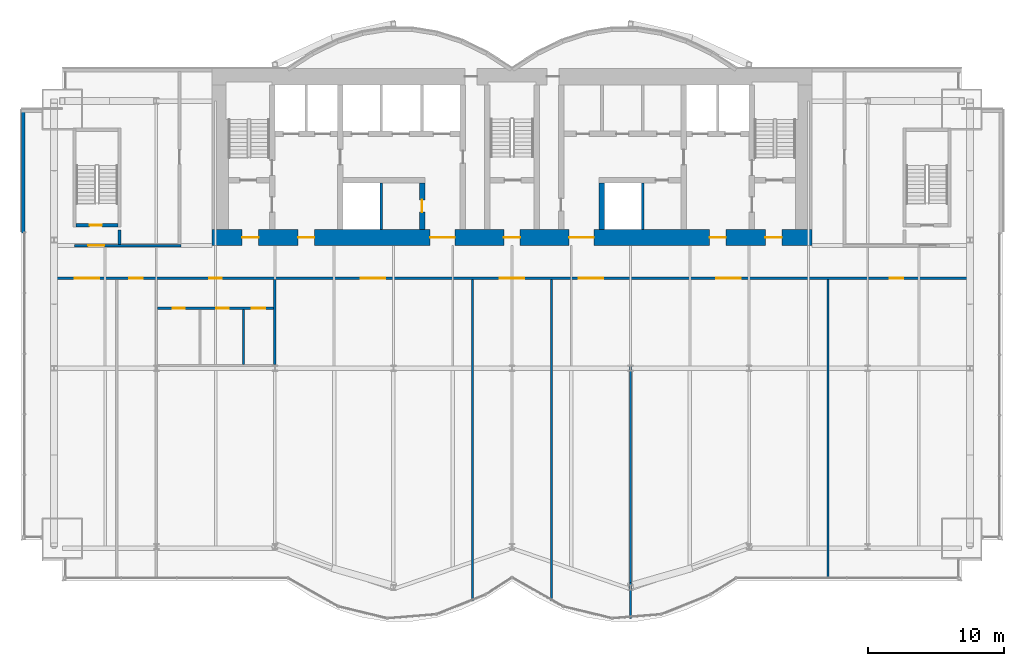
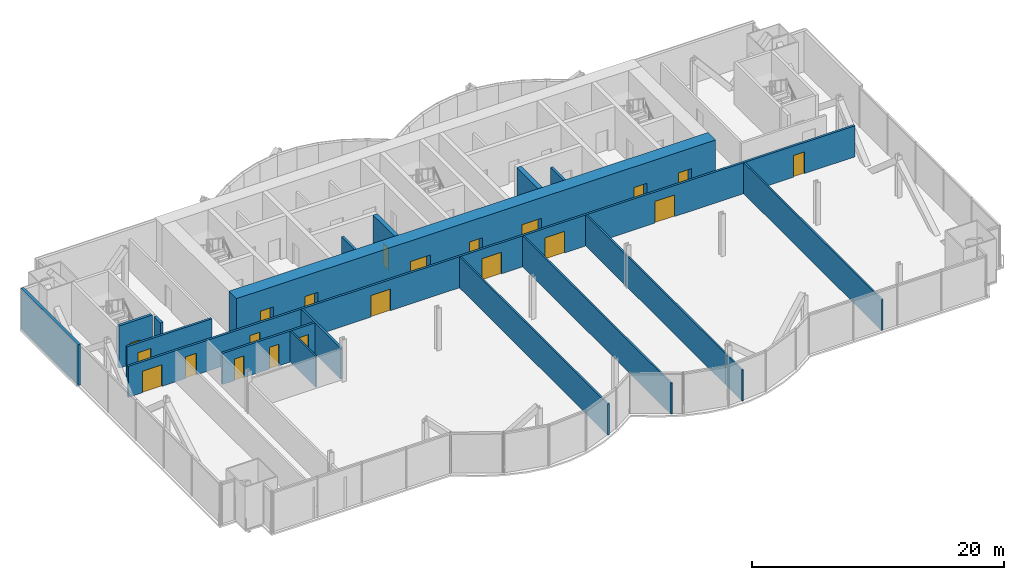
# One storey, part 15 of 21: 21 doors, 18 walls, 21 openings.
"""IFC4 building model written with IfcOpenShell, lengths in metres."""

from ifc_helpers import new_model, si_unit, direction, frame, frame_2d, origin, place, context, subcontext, project, spatial, rectangle, extrude, material, layer, layer_set, layer_usage, type_object, element, fill, save


model = new_model("IFC4")

# Units and contexts
model_context = context("Model", 3, precision=1e-05, world=origin(), true_north=direction((0.0, 1.0)))
body_context = subcontext(model_context, "Body", "Model", "MODEL_VIEW")
ifc_project = project(units=[si_unit("LENGTHUNIT", "METRE"), si_unit("AREAUNIT", "SQUARE_METRE"), si_unit("VOLUMEUNIT", "CUBIC_METRE"), si_unit("PLANEANGLEUNIT", "RADIAN"), si_unit("MASSUNIT", "GRAM", prefix="KILO")], contexts=[model_context])

# Site, building, storey
site_placement = place(None, origin())
site = spatial("IfcSite", under=ifc_project, at=site_placement, CompositionType="ELEMENT")
building_placement = place(site_placement, origin())
building = spatial("IfcBuilding", under=site, at=building_placement, Name="Bicima Exchange Tower", CompositionType="ELEMENT")
storey_placement = place(building_placement, frame((0.0, 0.0, 114.5)))
storey = spatial("IfcBuildingStorey", under=building, at=storey_placement, Name="L24", CompositionType="ELEMENT", Elevation=114.5)

# Walls
ifc_material_1 = material(Name="Gypsum board partition")
ifc_layer_1 = layer(ifc_material_1, 0.199951171875)
ifc_layer_set_1 = layer_set([ifc_layer_1], Name="Gypsum board partition")
wall_type_1 = type_object("IfcWallType", Name="Fire-rated gypsum partition 200 EI120", PredefinedType="PARTITIONING", material=ifc_layer_set_1)
for number, where, z_axis, x_axis, name in (
    (1, (-9.60009765625, -11.800048828125, 0.0), (0.0, 0.0, 1.0), (0.0, 1.0, 0.0), "partition wall 11"),
    (2, (9.60009765625, -11.800048828125, 0.0), (0.0, 0.0, 1.0), (0.0, 1.0, 0.0), "partition wall 21"),
):
    element("IfcWall", number, at=place(storey_placement, frame(where, z_axis=z_axis, x_axis=x_axis)), inside=storey, type_object=wall_type_1, Name=name, PredefinedType="PARTITIONING", context=body_context, shape_type="SweptSolid", body=[
        extrude(rectangle(XDim=3.400146484375, YDim=0.199951171875, at=frame_2d((1.7001953125, 0.0))), origin(), (0.0, 0.0, 1.0), 3.018310546875),
    ])

# Wall, openings, doors
ifc_layer_2 = layer(ifc_material_1, 0.199951171875)
ifc_layer_set_2 = layer_set([ifc_layer_2], Name="Gypsum board partition")
wall_type_2 = type_object("IfcWallType", Name="Fire-rated gypsum partition 200 EI60", PredefinedType="PARTITIONING", material=ifc_layer_set_2)
wall_1_placement = place(storey_placement, frame((-26.0, -17.60009765625, 0.0), z_axis=(0.0, 0.0, 1.0), x_axis=(1.0, 0.0, 0.0)))
wall_1 = element("IfcWall", 3, at=wall_1_placement, inside=storey, type_object=wall_type_2, Name="partition wall 2", PredefinedType="PARTITIONING", context=body_context, shape_type="SweptSolid", body=[
    extrude(rectangle(XDim=8.5, YDim=0.199951171875, at=frame_2d((4.25, 0.0))), origin(), (0.0, 0.0, 1.0), 3.018310546875),
])
opening_1_placement = place(wall_1_placement, frame((1.10009765625, 0.0, 0.0)))
opening_1 = element("IfcOpeningElement", 4, at=opening_1_placement, cuts=wall_1, Name="Opening L24-010", PredefinedType="OPENING", context=body_context, shape_type="SweptSolid", body=[
    extrude(rectangle(XDim=0.89990234375, YDim=2.10009765625, at=frame_2d((0.449951171875, 1.050048828125))), frame((0.0, 0.11181640625, 0.0), z_axis=(0.0, -1.0, 0.0), x_axis=(1.0, 0.0, 0.0)), (0.0, 0.0, 1.0), 0.223876953125),
])
opening_2_placement = place(wall_1_placement, frame((4.300048828125, 0.0, 0.0)))
opening_2 = element("IfcOpeningElement", 5, at=opening_2_placement, cuts=wall_1, Name="Opening L24-011", PredefinedType="OPENING", context=body_context, shape_type="SweptSolid", body=[
    extrude(rectangle(XDim=0.89990234375, YDim=2.10009765625, at=frame_2d((0.449951171875, 1.050048828125))), frame((0.0, 0.11181640625, 0.0), z_axis=(0.0, -1.0, 0.0), x_axis=(1.0, 0.0, 0.0)), (0.0, 0.0, 1.0), 0.223876953125),
])
opening_3_placement = place(wall_1_placement, frame((6.89990234375, 0.0, 0.0)))
opening_3 = element("IfcOpeningElement", 6, at=opening_3_placement, cuts=wall_1, Name="Opening L24-012", PredefinedType="OPENING", context=body_context, shape_type="SweptSolid", body=[
    extrude(rectangle(XDim=1.0, YDim=2.10009765625, at=frame_2d((0.5, 1.050048828125))), frame((0.0, 0.11181640625, 0.0), z_axis=(0.0, -1.0, 0.0), x_axis=(1.0, 0.0, 0.0)), (0.0, 0.0, 1.0), 0.223876953125),
])
ifc_material_2 = material(Name="Steel fire door leaf", Category="steel")
door_type_1 = type_object("IfcDoorType", Name="Door 1000 swing FD30S", OperationType="SINGLE_SWING_LEFT", PredefinedType="DOOR", material=ifc_material_2)
door_1_placement = place(opening_3_placement, frame((1.0, 0.0, 0.0), z_axis=(0.0, 0.0, 1.0), x_axis=(-1.0, 0.0, 0.0)))
door_1 = element("IfcDoor", 7, at=door_1_placement, inside=storey, type_object=door_type_1, Name="Door", OperationType="SINGLE_SWING_RIGHT", OverallHeight=2.10009765625, OverallWidth=1.0, PredefinedType="DOOR", context=body_context, shape_type="SweptSolid", body=[
    extrude(rectangle(XDim=1.0, YDim=2.10009765625, at=frame_2d((0.5, 1.050048828125))), frame((0.0, 0.02490234375, 0.0), z_axis=(0.0, -1.0, 0.0), x_axis=(1.0, 0.0, 0.0)), (0.0, 0.0, 1.0), 0.050048828125),
])
fill(opening_3, door_1)
door_type_2 = type_object("IfcDoorType", Name="Door 900 swing FD30S", OperationType="SINGLE_SWING_LEFT", PredefinedType="DOOR", material=ifc_material_2)
door_2_placement = place(opening_1_placement, frame((0.89990234375, 0.0, 0.0), z_axis=(0.0, 0.0, 1.0), x_axis=(-1.0, 0.0, 0.0)))
door_2 = element("IfcDoor", 8, at=door_2_placement, inside=storey, type_object=door_type_2, Name="Door", OperationType="SINGLE_SWING_LEFT", OverallHeight=2.10009765625, OverallWidth=0.89990234375, PredefinedType="DOOR", context=body_context, shape_type="SweptSolid", body=[
    extrude(rectangle(XDim=0.89990234375, YDim=2.10009765625, at=frame_2d((0.449951171875, 1.050048828125))), frame((0.0, 0.02490234375, 0.0), z_axis=(0.0, -1.0, 0.0), x_axis=(1.0, 0.0, 0.0)), (0.0, 0.0, 1.0), 0.050048828125),
])
fill(opening_1, door_2)
door_3_placement = place(opening_2_placement, frame((0.89990234375, 0.0, 0.0), z_axis=(0.0, 0.0, 1.0), x_axis=(-1.0, 0.0, 0.0)))
door_3 = element("IfcDoor", 9, at=door_3_placement, inside=storey, type_object=door_type_2, Name="Door", OperationType="SINGLE_SWING_RIGHT", OverallHeight=2.10009765625, OverallWidth=0.89990234375, PredefinedType="DOOR", context=body_context, shape_type="SweptSolid", body=[
    extrude(rectangle(XDim=0.89990234375, YDim=2.10009765625, at=frame_2d((0.449951171875, 1.050048828125))), frame((0.0, 0.02490234375, 0.0), z_axis=(0.0, -1.0, 0.0), x_axis=(1.0, 0.0, 0.0)), (0.0, 0.0, 1.0), 0.050048828125),
])
fill(opening_2, door_3)

wall_2_placement = place(storey_placement, frame((-33.3701171875, -15.39990234375, 0.0), z_axis=(0.0, 0.0, 1.0), x_axis=(1.0, 0.0, 0.0)))
wall_2 = element("IfcWall", 10, at=wall_2_placement, inside=storey, type_object=wall_type_2, Name="partition wall 3", PredefinedType="PARTITIONING", context=body_context, shape_type="SweptSolid", body=[
    extrude(rectangle(XDim=66.740234375, YDim=0.199951171875, at=frame_2d((33.3701171875, 0.0))), origin(), (0.0, 0.0, 1.0), 3.018310546875),
])
opening_4_placement = place(wall_2_placement, frame((1.300048828125, 0.0, 0.0)))
opening_4 = element("IfcOpeningElement", 11, at=opening_4_placement, cuts=wall_2, Name="Opening L24-007", PredefinedType="OPENING", context=body_context, shape_type="SweptSolid", body=[
    extrude(rectangle(XDim=1.800048828125, YDim=2.10009765625, at=frame_2d((0.89990234375, 1.050048828125))), frame((0.0, 0.11181640625, 0.0), z_axis=(0.0, -1.0, 0.0), x_axis=(1.0, 0.0, 0.0)), (0.0, 0.0, 1.0), 0.223876953125),
])
opening_5_placement = place(wall_2_placement, frame((5.27001953125, 0.0, 0.0)))
opening_5 = element("IfcOpeningElement", 12, at=opening_5_placement, cuts=wall_2, Name="Opening L24-008", PredefinedType="OPENING", context=body_context, shape_type="SweptSolid", body=[
    extrude(rectangle(XDim=1.0, YDim=2.10009765625, at=frame_2d((0.5, 1.050048828125))), frame((0.0, 0.11181640625, 0.0), z_axis=(0.0, -1.0, 0.0), x_axis=(1.0, 0.0, 0.0)), (0.0, 0.0, 1.0), 0.223876953125),
])
opening_6_placement = place(wall_2_placement, frame((11.169921875, 0.0, 0.0)))
opening_6 = element("IfcOpeningElement", 13, at=opening_6_placement, cuts=wall_2, Name="Opening L24-009", PredefinedType="OPENING", context=body_context, shape_type="SweptSolid", body=[
    extrude(rectangle(XDim=0.89990234375, YDim=2.10009765625, at=frame_2d((0.449951171875, 1.050048828125))), frame((0.0, 0.11181640625, 0.0), z_axis=(0.0, -1.0, 0.0), x_axis=(1.0, 0.0, 0.0)), (0.0, 0.0, 1.0), 0.223876953125),
])
opening_7_placement = place(wall_2_placement, frame((22.27001953125, 0.0, 0.0)))
opening_7 = element("IfcOpeningElement", 14, at=opening_7_placement, cuts=wall_2, Name="Opening L24-013", PredefinedType="OPENING", context=body_context, shape_type="SweptSolid", body=[
    extrude(rectangle(XDim=1.800048828125, YDim=2.10009765625, at=frame_2d((0.89990234375, 1.050048828125))), frame((0.0, 0.11181640625, 0.0), z_axis=(0.0, -1.0, 0.0), x_axis=(1.0, 0.0, 0.0)), (0.0, 0.0, 1.0), 0.223876953125),
])
opening_8_placement = place(wall_2_placement, frame((32.469970703125, 0.0, 0.0)))
opening_8 = element("IfcOpeningElement", 15, at=opening_8_placement, cuts=wall_2, Name="Opening L24-014", PredefinedType="OPENING", context=body_context, shape_type="SweptSolid", body=[
    extrude(rectangle(XDim=1.800048828125, YDim=2.10009765625, at=frame_2d((0.89990234375, 1.050048828125))), frame((0.0, 0.11181640625, 0.0), z_axis=(0.0, -1.0, 0.0), x_axis=(1.0, 0.0, 0.0)), (0.0, 0.0, 1.0), 0.223876953125),
])
opening_9_placement = place(wall_2_placement, frame((38.27001953125, 0.0, 0.0)))
opening_9 = element("IfcOpeningElement", 16, at=opening_9_placement, cuts=wall_2, Name="Opening L24-015", PredefinedType="OPENING", context=body_context, shape_type="SweptSolid", body=[
    extrude(rectangle(XDim=1.800048828125, YDim=2.10009765625, at=frame_2d((0.89990234375, 1.050048828125))), frame((0.0, 0.11181640625, 0.0), z_axis=(0.0, -1.0, 0.0), x_axis=(1.0, 0.0, 0.0)), (0.0, 0.0, 1.0), 0.223876953125),
])
opening_10_placement = place(wall_2_placement, frame((48.3701171875, 0.0, 0.0)))
opening_10 = element("IfcOpeningElement", 17, at=opening_10_placement, cuts=wall_2, Name="Opening L24-016", PredefinedType="OPENING", context=body_context, shape_type="SweptSolid", body=[
    extrude(rectangle(XDim=1.800048828125, YDim=2.10009765625, at=frame_2d((0.89990234375, 1.050048828125))), frame((0.0, 0.11181640625, 0.0), z_axis=(0.0, -1.0, 0.0), x_axis=(1.0, 0.0, 0.0)), (0.0, 0.0, 1.0), 0.223876953125),
])
opening_11_placement = place(wall_2_placement, frame((61.070068359375, 0.0, 0.0)))
opening_11 = element("IfcOpeningElement", 18, at=opening_11_placement, cuts=wall_2, Name="Opening L24-017", PredefinedType="OPENING", context=body_context, shape_type="SweptSolid", body=[
    extrude(rectangle(XDim=1.0, YDim=2.10009765625, at=frame_2d((0.5, 1.050048828125))), frame((0.0, 0.11181640625, 0.0), z_axis=(0.0, -1.0, 0.0), x_axis=(1.0, 0.0, 0.0)), (0.0, 0.0, 1.0), 0.223876953125),
])
door_4_placement = place(opening_5_placement, frame((1.0, 0.0, 0.0), z_axis=(0.0, 0.0, 1.0), x_axis=(-1.0, 0.0, 0.0)))
door_4 = element("IfcDoor", 19, at=door_4_placement, inside=storey, type_object=door_type_1, Name="Door", OperationType="SINGLE_SWING_RIGHT", OverallHeight=2.10009765625, OverallWidth=1.0, PredefinedType="DOOR", context=body_context, shape_type="SweptSolid", body=[
    extrude(rectangle(XDim=1.0, YDim=2.10009765625, at=frame_2d((0.5, 1.050048828125))), frame((0.0, 0.02490234375, 0.0), z_axis=(0.0, -1.0, 0.0), x_axis=(1.0, 0.0, 0.0)), (0.0, 0.0, 1.0), 0.050048828125),
])
fill(opening_5, door_4)
door_5_placement = place(opening_11_placement, frame((1.0, 0.0, 0.0), z_axis=(0.0, 0.0, 1.0), x_axis=(-1.0, 0.0, 0.0)))
door_5 = element("IfcDoor", 20, at=door_5_placement, inside=storey, type_object=door_type_1, Name="Door", OperationType="SINGLE_SWING_RIGHT", OverallHeight=2.10009765625, OverallWidth=1.0, PredefinedType="DOOR", context=body_context, shape_type="SweptSolid", body=[
    extrude(rectangle(XDim=1.0, YDim=2.10009765625, at=frame_2d((0.5, 1.050048828125))), frame((0.0, 0.02490234375, 0.0), z_axis=(0.0, -1.0, 0.0), x_axis=(1.0, 0.0, 0.0)), (0.0, 0.0, 1.0), 0.050048828125),
])
fill(opening_11, door_5)
door_type_3 = type_object("IfcDoorType", Name="Door 1800 double swing FD30S", OperationType="DOUBLE_DOOR_SINGLE_SWING", PredefinedType="DOOR", material=ifc_material_2)
door_6_placement = place(opening_4_placement, origin())
door_6 = element("IfcDoor", 21, at=door_6_placement, inside=storey, type_object=door_type_3, Name="Door", OperationType="SINGLE_SWING_LEFT", OverallHeight=2.10009765625, OverallWidth=1.800048828125, PredefinedType="DOOR", context=body_context, shape_type="SweptSolid", body=[
    extrude(rectangle(XDim=1.800048828125, YDim=2.10009765625, at=frame_2d((0.89990234375, 1.050048828125))), frame((0.0, 0.02490234375, 0.0), z_axis=(0.0, -1.0, 0.0), x_axis=(1.0, 0.0, 0.0)), (0.0, 0.0, 1.0), 0.050048828125),
])
fill(opening_4, door_6)
door_7_placement = place(opening_7_placement, origin())
door_7 = element("IfcDoor", 22, at=door_7_placement, inside=storey, type_object=door_type_3, Name="Door", OperationType="SINGLE_SWING_LEFT", OverallHeight=2.10009765625, OverallWidth=1.800048828125, PredefinedType="DOOR", context=body_context, shape_type="SweptSolid", body=[
    extrude(rectangle(XDim=1.800048828125, YDim=2.10009765625, at=frame_2d((0.89990234375, 1.050048828125))), frame((0.0, 0.02490234375, 0.0), z_axis=(0.0, -1.0, 0.0), x_axis=(1.0, 0.0, 0.0)), (0.0, 0.0, 1.0), 0.050048828125),
])
fill(opening_7, door_7)
door_8_placement = place(opening_8_placement, origin())
door_8 = element("IfcDoor", 23, at=door_8_placement, inside=storey, type_object=door_type_3, Name="Door", OperationType="SINGLE_SWING_LEFT", OverallHeight=2.10009765625, OverallWidth=1.800048828125, PredefinedType="DOOR", context=body_context, shape_type="SweptSolid", body=[
    extrude(rectangle(XDim=1.800048828125, YDim=2.10009765625, at=frame_2d((0.89990234375, 1.050048828125))), frame((0.0, 0.02490234375, 0.0), z_axis=(0.0, -1.0, 0.0), x_axis=(1.0, 0.0, 0.0)), (0.0, 0.0, 1.0), 0.050048828125),
])
fill(opening_8, door_8)
door_9_placement = place(opening_9_placement, origin())
door_9 = element("IfcDoor", 24, at=door_9_placement, inside=storey, type_object=door_type_3, Name="Door", OperationType="SINGLE_SWING_LEFT", OverallHeight=2.10009765625, OverallWidth=1.800048828125, PredefinedType="DOOR", context=body_context, shape_type="SweptSolid", body=[
    extrude(rectangle(XDim=1.800048828125, YDim=2.10009765625, at=frame_2d((0.89990234375, 1.050048828125))), frame((0.0, 0.02490234375, 0.0), z_axis=(0.0, -1.0, 0.0), x_axis=(1.0, 0.0, 0.0)), (0.0, 0.0, 1.0), 0.050048828125),
])
fill(opening_9, door_9)
door_10_placement = place(opening_10_placement, origin())
door_10 = element("IfcDoor", 25, at=door_10_placement, inside=storey, type_object=door_type_3, Name="Door", OperationType="SINGLE_SWING_LEFT", OverallHeight=2.10009765625, OverallWidth=1.800048828125, PredefinedType="DOOR", context=body_context, shape_type="SweptSolid", body=[
    extrude(rectangle(XDim=1.800048828125, YDim=2.10009765625, at=frame_2d((0.89990234375, 1.050048828125))), frame((0.0, 0.02490234375, 0.0), z_axis=(0.0, -1.0, 0.0), x_axis=(1.0, 0.0, 0.0)), (0.0, 0.0, 1.0), 0.050048828125),
])
fill(opening_10, door_10)
door_11_placement = place(opening_6_placement, frame((0.89990234375, 0.0, 0.0), z_axis=(0.0, 0.0, 1.0), x_axis=(-1.0, 0.0, 0.0)))
door_11 = element("IfcDoor", 26, at=door_11_placement, inside=storey, type_object=door_type_2, Name="Door", OperationType="SINGLE_SWING_RIGHT", OverallHeight=2.10009765625, OverallWidth=0.89990234375, PredefinedType="DOOR", context=body_context, shape_type="SweptSolid", body=[
    extrude(rectangle(XDim=0.89990234375, YDim=2.10009765625, at=frame_2d((0.449951171875, 1.050048828125))), frame((0.0, 0.02490234375, 0.0), z_axis=(0.0, -1.0, 0.0), x_axis=(1.0, 0.0, 0.0)), (0.0, 0.0, 1.0), 0.050048828125),
])
fill(opening_6, door_11)

# Wall, opening, door
wall_3_placement = place(storey_placement, frame((-32.10009765625, -13.0, 0.0), z_axis=(0.0, 0.0, 1.0), x_axis=(1.0, 0.0, 0.0)))
wall_3 = element("IfcWall", 27, at=wall_3_placement, inside=storey, type_object=wall_type_2, Name="partition wall 4", PredefinedType="PARTITIONING", context=body_context, shape_type="SweptSolid", body=[
    extrude(rectangle(XDim=7.800048828125, YDim=0.199951171875, at=frame_2d((3.89990234375, 0.0))), origin(), (0.0, 0.0, 1.0), 3.018310546875),
])
opening_12_placement = place(wall_3_placement, frame((1.0, 0.0, 0.0)))
opening_12 = element("IfcOpeningElement", 28, at=opening_12_placement, cuts=wall_3, Name="Opening L24-001", PredefinedType="OPENING", context=body_context, shape_type="SweptSolid", body=[
    extrude(rectangle(XDim=1.199951171875, YDim=2.10009765625, at=frame_2d((0.60009765625, 1.050048828125))), frame((0.0, 0.11181640625, 0.0), z_axis=(0.0, -1.0, 0.0), x_axis=(1.0, 0.0, 0.0)), (0.0, 0.0, 1.0), 0.223876953125),
])
door_type_4 = type_object("IfcDoorType", Name="Door 1200 swing FD30S", OperationType="SINGLE_SWING_LEFT", PredefinedType="DOOR", material=ifc_material_2)
door_12_placement = place(opening_12_placement, origin())
door_12 = element("IfcDoor", 29, at=door_12_placement, inside=storey, type_object=door_type_4, Name="Door", OperationType="SINGLE_SWING_LEFT", OverallHeight=2.10009765625, OverallWidth=1.199951171875, PredefinedType="DOOR", context=body_context, shape_type="SweptSolid", body=[
    extrude(rectangle(XDim=1.199951171875, YDim=2.10009765625, at=frame_2d((0.60009765625, 1.050048828125))), frame((0.0, 0.02490234375, 0.0), z_axis=(0.0, -1.0, 0.0), x_axis=(1.0, 0.0, 0.0)), (0.0, 0.0, 1.0), 0.050048828125),
])
fill(opening_12, door_12)

# Walls
wall_4_placement = place(storey_placement, frame((-17.39990234375, -21.72509765625, 0.0), z_axis=(0.0, 0.0, 1.0), x_axis=(0.0, 1.0, 0.0)))
element("IfcWall", 30, at=wall_4_placement, inside=storey, type_object=wall_type_2, Name="partition wall 19", PredefinedType="PARTITIONING", context=body_context, shape_type="SweptSolid", body=[
    extrude(rectangle(XDim=6.22509765625, YDim=0.199951171875, at=frame_2d((3.112548828125, 0.0))), origin(), (0.0, 0.0, 1.0), 3.018310546875),
])
ifc_layer_3 = layer(ifc_material_1, 0.14990234375)
ifc_layer_set_3 = layer_set([ifc_layer_3], Name="Gypsum board partition")
wall_type_3 = type_object("IfcWallType", Name="Gypsum partition 150", PredefinedType="PARTITIONING", material=ifc_layer_set_3)
wall_5_placement = place(storey_placement, frame((-19.699951171875, -21.72509765625, 0.0), z_axis=(0.0, 0.0, 1.0), x_axis=(0.0, 1.0, 0.0)))
element("IfcWall", 31, at=wall_5_placement, inside=storey, type_object=wall_type_3, Name="partition wall 18", PredefinedType="PARTITIONING", context=body_context, shape_type="SweptSolid", body=[
    extrude(rectangle(XDim=4.025146484375, YDim=0.14990234375, at=frame_2d((2.0126953125, 0.0))), origin(), (0.0, 0.0, 1.0), 3.018310546875),
])
for number, where, z_axis, x_axis, name in (
    (32, (-2.89990234375, -39.080078125, 0.0), (0.0, 0.0, 1.0), (0.0, 1.0, 0.0), "partition wall 20"),
    (33, (2.89990234375, -39.080078125, 0.0), (0.0, 0.0, 1.0), (0.0, 1.0, 0.0), "partition wall 21"),
):
    element("IfcWall", number, at=place(storey_placement, frame(where, z_axis=z_axis, x_axis=x_axis)), inside=storey, type_object=wall_type_3, Name=name, PredefinedType="PARTITIONING", context=body_context, shape_type="SweptSolid", body=[
        extrude(rectangle(XDim=23.580078125, YDim=0.14990234375, at=frame_2d((11.7900390625, 0.0))), origin(), (0.0, 0.0, 1.0), 3.018310546875),
    ])
wall_6_placement = place(storey_placement, frame((8.699951171875, -40.360107421875, 0.0), z_axis=(0.0, 0.0, 1.0), x_axis=(0.0, 1.0, 0.0)))
element("IfcWall", 34, at=wall_6_placement, inside=storey, type_object=wall_type_3, Name="partition wall 22", PredefinedType="PARTITIONING", context=body_context, shape_type="SweptSolid", body=[
    extrude(rectangle(XDim=2.642333984375, YDim=0.14990234375, at=frame_2d((1.3212890625, 0.0))), origin(), (0.0, 0.0, 1.0), 3.018310546875),
])
wall_7_placement = place(storey_placement, frame((8.699951171875, -37.7177734375, 0.0), z_axis=(0.0, 0.0, 1.0), x_axis=(0.0, 1.0, 0.0)))
element("IfcWall", 35, at=wall_7_placement, inside=storey, type_object=wall_type_3, Name="partition wall 23", PredefinedType="PARTITIONING", context=body_context, shape_type="SweptSolid", body=[
    extrude(rectangle(XDim=22.2177734375, YDim=0.14990234375, at=frame_2d((11.10888671875, 0.0))), origin(), (0.0, 0.0, 1.0), 3.018310546875),
])
wall_8_placement = place(storey_placement, frame((23.199951171875, -37.39990234375, 0.0), z_axis=(0.0, 0.0, 1.0), x_axis=(0.0, 1.0, 0.0)))
element("IfcWall", 36, at=wall_8_placement, inside=storey, type_object=wall_type_3, Name="partition wall 24", PredefinedType="PARTITIONING", context=body_context, shape_type="SweptSolid", body=[
    extrude(rectangle(XDim=21.89990234375, YDim=0.14990234375, at=frame_2d((10.949951171875, 0.0))), origin(), (0.0, 0.0, 1.0), 3.018310546875),
])

# Wall, openings, doors
ifc_material_3 = material(Name="Concrete C60/75", Category="concrete")
ifc_layer_4 = layer(ifc_material_3, 1.199951171875)
ifc_layer_set_4 = layer_set([ifc_layer_4], Name="Concrete C60/75")
wall_type_4 = type_object("IfcWallType", Name="RC core wall 1200 C60/75", PredefinedType="SHEAR", material=ifc_layer_set_4)
wall_9_placement = place(storey_placement, frame((-22.0, -12.39990234375, 0.0), z_axis=(0.0, 0.0, 1.0), x_axis=(1.0, 0.0, 0.0)))
wall_9 = element("IfcWall", 37, at=wall_9_placement, inside=storey, type_object=wall_type_4, Name="Core wall south", PredefinedType="SHEAR", context=body_context, shape_type="SweptSolid", body=[
    extrude(rectangle(XDim=44.0, YDim=1.199951171875, at=frame_2d((22.0, 0.0))), origin(), (0.0, 0.0, 1.0), 4.10009765625),
])
opening_13_placement = place(wall_9_placement, frame((2.199951171875, 0.0, 0.0)))
opening_13 = element("IfcOpeningElement", 38, at=opening_13_placement, cuts=wall_9, Name="Opening L24-C19", PredefinedType="OPENING", context=body_context, shape_type="SweptSolid", body=[
    extrude(rectangle(XDim=1.199951171875, YDim=2.10009765625, at=frame_2d((0.60009765625, 1.050048828125))), frame((0.0, 0.61181640625, 0.0), z_axis=(0.0, -1.0, 0.0), x_axis=(1.0, 0.0, 0.0)), (0.0, 0.0, 1.0), 1.223876953125),
])
opening_14_placement = place(wall_9_placement, frame((21.39990234375, 0.0, 0.0)))
opening_14 = element("IfcOpeningElement", 39, at=opening_14_placement, cuts=wall_9, Name="Opening L24-C20", PredefinedType="OPENING", context=body_context, shape_type="SweptSolid", body=[
    extrude(rectangle(XDim=1.199951171875, YDim=2.10009765625, at=frame_2d((0.60009765625, 1.050048828125))), frame((0.0, 0.61181640625, 0.0), z_axis=(0.0, -1.0, 0.0), x_axis=(1.0, 0.0, 0.0)), (0.0, 0.0, 1.0), 1.223876953125),
])
opening_15_placement = place(wall_9_placement, frame((40.60009765625, 0.0, 0.0)))
opening_15 = element("IfcOpeningElement", 40, at=opening_15_placement, cuts=wall_9, Name="Opening L24-C21", PredefinedType="OPENING", context=body_context, shape_type="SweptSolid", body=[
    extrude(rectangle(XDim=1.199951171875, YDim=2.10009765625, at=frame_2d((0.60009765625, 1.050048828125))), frame((0.0, 0.61181640625, 0.0), z_axis=(0.0, -1.0, 0.0), x_axis=(1.0, 0.0, 0.0)), (0.0, 0.0, 1.0), 1.223876953125),
])
opening_16_placement = place(wall_9_placement, frame((16.0, 0.0, 0.0)))
opening_16 = element("IfcOpeningElement", 41, at=opening_16_placement, cuts=wall_9, Name="Opening L24-C22", PredefinedType="OPENING", context=body_context, shape_type="SweptSolid", body=[
    extrude(rectangle(XDim=1.800048828125, YDim=2.10009765625, at=frame_2d((0.89990234375, 1.050048828125))), frame((0.0, 0.61181640625, 0.0), z_axis=(0.0, -1.0, 0.0), x_axis=(1.0, 0.0, 0.0)), (0.0, 0.0, 1.0), 1.223876953125),
])
opening_17_placement = place(wall_9_placement, frame((6.300048828125, 0.0, 0.0)))
opening_17 = element("IfcOpeningElement", 42, at=opening_17_placement, cuts=wall_9, Name="Opening L24-C23", PredefinedType="OPENING", context=body_context, shape_type="SweptSolid", body=[
    extrude(rectangle(XDim=1.199951171875, YDim=2.10009765625, at=frame_2d((0.60009765625, 1.050048828125))), frame((0.0, 0.61181640625, 0.0), z_axis=(0.0, -1.0, 0.0), x_axis=(1.0, 0.0, 0.0)), (0.0, 0.0, 1.0), 1.223876953125),
])
opening_18_placement = place(wall_9_placement, frame((26.199951171875, 0.0, 0.0)))
opening_18 = element("IfcOpeningElement", 43, at=opening_18_placement, cuts=wall_9, Name="Opening L24-C24", PredefinedType="OPENING", context=body_context, shape_type="SweptSolid", body=[
    extrude(rectangle(XDim=1.800048828125, YDim=2.10009765625, at=frame_2d((0.89990234375, 1.050048828125))), frame((0.0, 0.61181640625, 0.0), z_axis=(0.0, -1.0, 0.0), x_axis=(1.0, 0.0, 0.0)), (0.0, 0.0, 1.0), 1.223876953125),
])
opening_19_placement = place(wall_9_placement, frame((36.5, 0.0, 0.0)))
opening_19 = element("IfcOpeningElement", 44, at=opening_19_placement, cuts=wall_9, Name="Opening L24-C25", PredefinedType="OPENING", context=body_context, shape_type="SweptSolid", body=[
    extrude(rectangle(XDim=1.199951171875, YDim=2.10009765625, at=frame_2d((0.60009765625, 1.050048828125))), frame((0.0, 0.61181640625, 0.0), z_axis=(0.0, -1.0, 0.0), x_axis=(1.0, 0.0, 0.0)), (0.0, 0.0, 1.0), 1.223876953125),
])
door_type_5 = type_object("IfcDoorType", Name="Door 1200 swing FD60S", OperationType="SINGLE_SWING_LEFT", PredefinedType="DOOR", material=ifc_material_2)
door_13_placement = place(opening_13_placement, frame((1.199951171875, 0.0, 0.0), z_axis=(0.0, 0.0, 1.0), x_axis=(-1.0, 0.0, 0.0)))
door_13 = element("IfcDoor", 45, at=door_13_placement, inside=storey, type_object=door_type_5, Name="Core door", OperationType="SINGLE_SWING_RIGHT", OverallHeight=2.10009765625, OverallWidth=1.199951171875, PredefinedType="DOOR", context=body_context, shape_type="SweptSolid", body=[
    extrude(rectangle(XDim=1.199951171875, YDim=2.10009765625, at=frame_2d((0.60009765625, 1.050048828125))), frame((0.0, 0.02490234375, 0.0), z_axis=(0.0, -1.0, 0.0), x_axis=(1.0, 0.0, 0.0)), (0.0, 0.0, 1.0), 0.050048828125),
])
fill(opening_13, door_13)
door_14_placement = place(opening_14_placement, frame((1.199951171875, 0.0, 0.0), z_axis=(0.0, 0.0, 1.0), x_axis=(-1.0, 0.0, 0.0)))
door_14 = element("IfcDoor", 46, at=door_14_placement, inside=storey, type_object=door_type_5, Name="Core door", OperationType="SINGLE_SWING_RIGHT", OverallHeight=2.10009765625, OverallWidth=1.199951171875, PredefinedType="DOOR", context=body_context, shape_type="SweptSolid", body=[
    extrude(rectangle(XDim=1.199951171875, YDim=2.10009765625, at=frame_2d((0.60009765625, 1.050048828125))), frame((0.0, 0.02490234375, 0.0), z_axis=(0.0, -1.0, 0.0), x_axis=(1.0, 0.0, 0.0)), (0.0, 0.0, 1.0), 0.050048828125),
])
fill(opening_14, door_14)
door_15_placement = place(opening_15_placement, frame((1.199951171875, 0.0, 0.0), z_axis=(0.0, 0.0, 1.0), x_axis=(-1.0, 0.0, 0.0)))
door_15 = element("IfcDoor", 47, at=door_15_placement, inside=storey, type_object=door_type_5, Name="Core door", OperationType="SINGLE_SWING_RIGHT", OverallHeight=2.10009765625, OverallWidth=1.199951171875, PredefinedType="DOOR", context=body_context, shape_type="SweptSolid", body=[
    extrude(rectangle(XDim=1.199951171875, YDim=2.10009765625, at=frame_2d((0.60009765625, 1.050048828125))), frame((0.0, 0.02490234375, 0.0), z_axis=(0.0, -1.0, 0.0), x_axis=(1.0, 0.0, 0.0)), (0.0, 0.0, 1.0), 0.050048828125),
])
fill(opening_15, door_15)
door_16_placement = place(opening_17_placement, frame((1.199951171875, 0.0, 0.0), z_axis=(0.0, 0.0, 1.0), x_axis=(-1.0, 0.0, 0.0)))
door_16 = element("IfcDoor", 48, at=door_16_placement, inside=storey, type_object=door_type_5, Name="Core door", OperationType="SINGLE_SWING_RIGHT", OverallHeight=2.10009765625, OverallWidth=1.199951171875, PredefinedType="DOOR", context=body_context, shape_type="SweptSolid", body=[
    extrude(rectangle(XDim=1.199951171875, YDim=2.10009765625, at=frame_2d((0.60009765625, 1.050048828125))), frame((0.0, 0.02490234375, 0.0), z_axis=(0.0, -1.0, 0.0), x_axis=(1.0, 0.0, 0.0)), (0.0, 0.0, 1.0), 0.050048828125),
])
fill(opening_17, door_16)
door_17_placement = place(opening_19_placement, frame((1.199951171875, 0.0, 0.0), z_axis=(0.0, 0.0, 1.0), x_axis=(-1.0, 0.0, 0.0)))
door_17 = element("IfcDoor", 49, at=door_17_placement, inside=storey, type_object=door_type_5, Name="Core door", OperationType="SINGLE_SWING_RIGHT", OverallHeight=2.10009765625, OverallWidth=1.199951171875, PredefinedType="DOOR", context=body_context, shape_type="SweptSolid", body=[
    extrude(rectangle(XDim=1.199951171875, YDim=2.10009765625, at=frame_2d((0.60009765625, 1.050048828125))), frame((0.0, 0.02490234375, 0.0), z_axis=(0.0, -1.0, 0.0), x_axis=(1.0, 0.0, 0.0)), (0.0, 0.0, 1.0), 0.050048828125),
])
fill(opening_19, door_17)
door_18_placement = place(opening_16_placement, origin())
door_18 = element("IfcDoor", 50, at=door_18_placement, inside=storey, type_object=door_type_3, Name="Core door", OperationType="SINGLE_SWING_LEFT", OverallHeight=2.10009765625, OverallWidth=1.800048828125, PredefinedType="DOOR", context=body_context, shape_type="SweptSolid", body=[
    extrude(rectangle(XDim=1.800048828125, YDim=2.10009765625, at=frame_2d((0.89990234375, 1.050048828125))), frame((0.0, 0.02490234375, 0.0), z_axis=(0.0, -1.0, 0.0), x_axis=(1.0, 0.0, 0.0)), (0.0, 0.0, 1.0), 0.050048828125),
])
fill(opening_16, door_18)
door_19_placement = place(opening_18_placement, origin())
door_19 = element("IfcDoor", 51, at=door_19_placement, inside=storey, type_object=door_type_3, Name="Core door", OperationType="SINGLE_SWING_LEFT", OverallHeight=2.10009765625, OverallWidth=1.800048828125, PredefinedType="DOOR", context=body_context, shape_type="SweptSolid", body=[
    extrude(rectangle(XDim=1.800048828125, YDim=2.10009765625, at=frame_2d((0.89990234375, 1.050048828125))), frame((0.0, 0.02490234375, 0.0), z_axis=(0.0, -1.0, 0.0), x_axis=(1.0, 0.0, 0.0)), (0.0, 0.0, 1.0), 0.050048828125),
])
fill(opening_18, door_19)

# Wall
ifc_material_4 = material(Name="Concrete C50/60", Category="concrete")
ifc_layer_5 = layer(ifc_material_4, 0.25)
ifc_layer_set_5 = layer_set([ifc_layer_5], Name="Concrete C50/60")
wall_type_5 = type_object("IfcWallType", Name="RC core wall 250 C50/60", PredefinedType="SHEAR", material=ifc_layer_set_5)
wall_10_placement = place(storey_placement, frame((-28.800048828125, -12.89990234375, 0.0), z_axis=(0.0, 0.0, 1.0), x_axis=(0.0, 1.0, 0.0)))
element("IfcWall", 52, at=wall_10_placement, inside=storey, type_object=wall_type_5, Name="stair wall 14", PredefinedType="SHEAR", context=body_context, shape_type="SweptSolid", body=[
    extrude(rectangle(XDim=1.0498046875, YDim=0.25, at=frame_2d((0.52490234375, 0.0))), origin(), (0.0, 0.0, 1.0), 4.10009765625),
])

# Wall, opening, door
ifc_layer_6 = layer(ifc_material_3, 0.39990234375)
ifc_layer_set_6 = layer_set([ifc_layer_6], Name="Concrete C60/75")
wall_type_6 = type_object("IfcWallType", Name="RC core wall 400 C60/75", PredefinedType="SHEAR", material=ifc_layer_set_6)
wall_11_placement = place(storey_placement, frame((-6.60009765625, -11.800048828125, 0.0), z_axis=(0.0, 0.0, 1.0), x_axis=(0.0, 1.0, 0.0)))
wall_11 = element("IfcWall", 53, at=wall_11_placement, inside=storey, type_object=wall_type_6, Name="shear wall 13", PredefinedType="SHEAR", context=body_context, shape_type="SweptSolid", body=[
    extrude(rectangle(XDim=3.400146484375, YDim=0.39990234375, at=frame_2d((1.7001953125, 0.0))), origin(), (0.0, 0.0, 1.0), 4.10009765625),
])
opening_20_placement = place(wall_11_placement, frame((1.25, 0.0, 0.0)))
opening_20 = element("IfcOpeningElement", 54, at=opening_20_placement, cuts=wall_11, Name="Opening L24-C15", PredefinedType="OPENING", context=body_context, shape_type="SweptSolid", body=[
    extrude(rectangle(XDim=0.89990234375, YDim=2.10009765625, at=frame_2d((0.449951171875, 1.050048828125))), frame((0.0, 0.2119140625, 0.0), z_axis=(0.0, -1.0, 0.0), x_axis=(1.0, 0.0, 0.0)), (0.0, 0.0, 1.0), 0.423828125),
])
door_20_placement = place(opening_20_placement, origin())
door_20 = element("IfcDoor", 55, at=door_20_placement, inside=storey, type_object=door_type_2, Name="Core door", OperationType="SINGLE_SWING_LEFT", OverallHeight=2.10009765625, OverallWidth=0.89990234375, PredefinedType="DOOR", context=body_context, shape_type="SweptSolid", body=[
    extrude(rectangle(XDim=0.89990234375, YDim=2.10009765625, at=frame_2d((0.449951171875, 1.050048828125))), frame((0.0, 0.02490234375, 0.0), z_axis=(0.0, -1.0, 0.0), x_axis=(1.0, 0.0, 0.0)), (0.0, 0.0, 1.0), 0.050048828125),
])
fill(opening_20, door_20)

# Wall
wall_12_placement = place(storey_placement, frame((6.60009765625, -11.800048828125, 0.0), z_axis=(0.0, 0.0, 1.0), x_axis=(0.0, 1.0, 0.0)))
element("IfcWall", 56, at=wall_12_placement, inside=storey, type_object=wall_type_6, Name="shear wall 19", PredefinedType="SHEAR", context=body_context, shape_type="SweptSolid", body=[
    extrude(rectangle(XDim=3.400146484375, YDim=0.39990234375, at=frame_2d((1.7001953125, 0.0))), origin(), (0.0, 0.0, 1.0), 4.10009765625),
])

# Wall, opening, door
ifc_layer_7 = layer(ifc_material_4, 0.25)
ifc_layer_set_7 = layer_set([ifc_layer_7], Name="Concrete C50/60")
wall_type_7 = type_object("IfcWallType", Name="RC stair enclosure wall 250 C50/60", PredefinedType="SHEAR", material=ifc_layer_set_7)
wall_13_placement = place(storey_placement, frame((-31.97509765625, -11.5, 0.0), z_axis=(0.0, 0.0, 1.0), x_axis=(1.0, 0.0, 0.0)))
wall_13 = element("IfcWall", 57, at=wall_13_placement, inside=storey, type_object=wall_type_7, Name="West end exit stair wall S", PredefinedType="SHEAR", context=body_context, shape_type="SweptSolid", body=[
    extrude(rectangle(XDim=3.050048828125, YDim=0.25, at=frame_2d((1.52490234375, 0.0))), origin(), (0.0, 0.0, 1.0), 4.10009765625),
])
opening_21_placement = place(wall_13_placement, frame((0.97509765625, 0.0, 0.0)))
opening_21 = element("IfcOpeningElement", 58, at=opening_21_placement, cuts=wall_13, Name="Opening L24-002", PredefinedType="OPENING", context=body_context, shape_type="SweptSolid", body=[
    extrude(rectangle(XDim=0.89990234375, YDim=2.10009765625, at=frame_2d((0.449951171875, 1.050048828125))), frame((0.0, 0.136962890625, 0.0), z_axis=(0.0, -1.0, 0.0), x_axis=(1.0, 0.0, 0.0)), (0.0, 0.0, 1.0), 0.27392578125),
])
door_type_6 = type_object("IfcDoorType", Name="Door 900 swing FD60S", OperationType="SINGLE_SWING_LEFT", PredefinedType="DOOR", material=ifc_material_2)
door_21_placement = place(opening_21_placement, origin())
door_21 = element("IfcDoor", 59, at=door_21_placement, inside=storey, type_object=door_type_6, Name="Door", OperationType="SINGLE_SWING_LEFT", OverallHeight=2.10009765625, OverallWidth=0.89990234375, PredefinedType="DOOR", context=body_context, shape_type="SweptSolid", body=[
    extrude(rectangle(XDim=0.89990234375, YDim=2.10009765625, at=frame_2d((0.449951171875, 1.050048828125))), frame((0.0, 0.02490234375, 0.0), z_axis=(0.0, -1.0, 0.0), x_axis=(1.0, 0.0, 0.0)), (0.0, 0.0, 1.0), 0.050048828125),
])
fill(opening_21, door_21)

# Wall
ifc_material_5 = material(Name="Concrete C40/50", Category="concrete")
ifc_layer_8 = layer(ifc_material_5, 0.25)
ifc_layer_set_8 = layer_set([ifc_layer_8], Name="Concrete C40/50")
ifc_layer_usage = layer_usage(ifc_layer_set_8, "AXIS2", "POSITIVE", -0.125)
wall_type_8 = type_object("IfcWallType", Name="Rear backup wall 250", PredefinedType="STANDARD", material=ifc_layer_set_8)
wall_14_placement = place(storey_placement, frame((-35.875, -3.0, 0.0), z_axis=(0.0, 0.0, 1.0), x_axis=(0.0, -1.0, 0.0)))
element("IfcWall", 60, at=wall_14_placement, inside=storey, type_object=wall_type_8, material=ifc_layer_usage, Name="Rear backup wall L24 23", PredefinedType="STANDARD", context=body_context, shape_type="SweptSolid", body=[
    extrude(rectangle(XDim=9.090087890625, YDim=0.25, at=frame_2d((4.544921875, 0.0))), origin(), (0.0, 0.0, 1.0), 3.949951171875),
])

save(model, "model.ifc")
